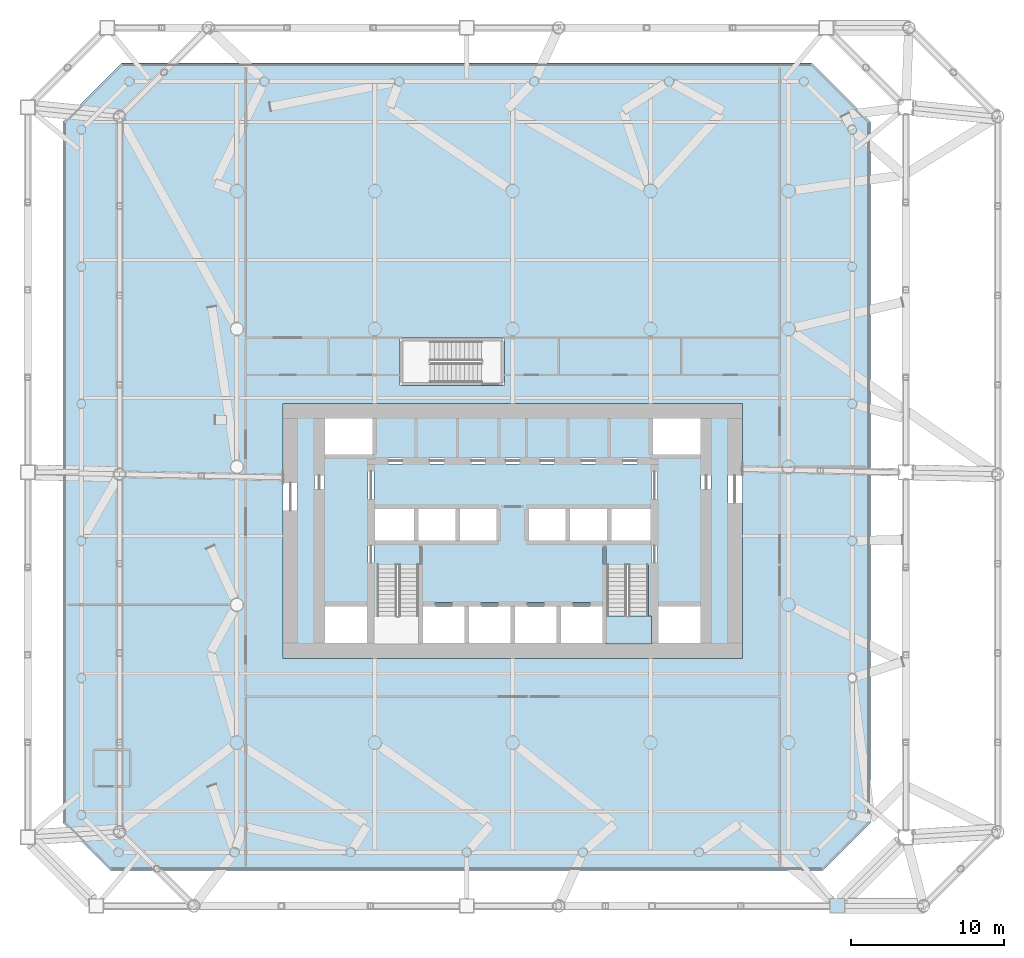
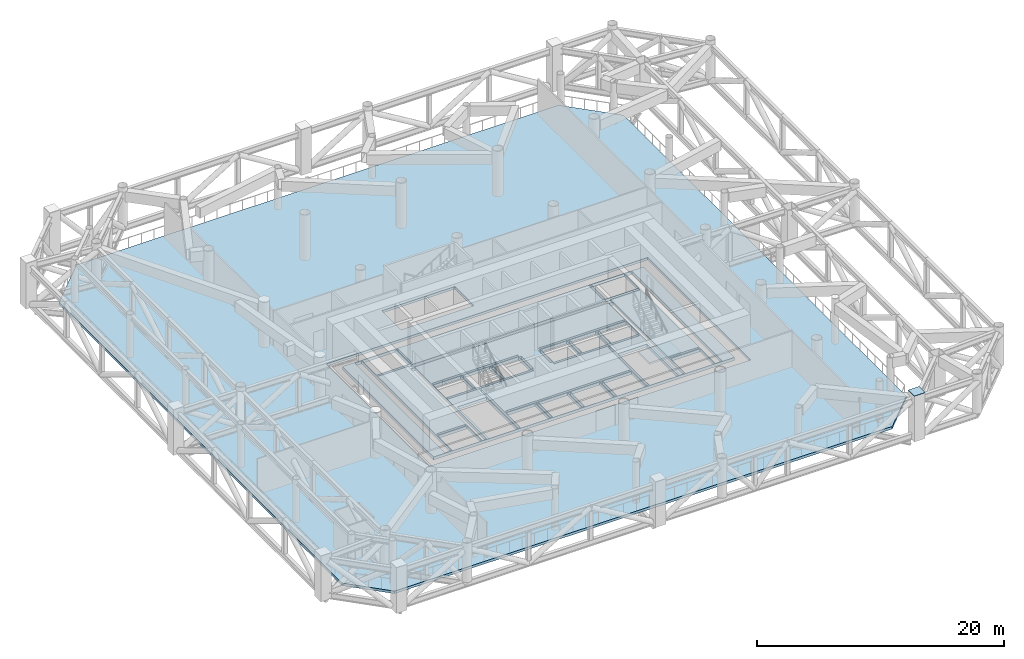
# One storey, part 10 of 22: 3 slabs, 1 plate, 1 element without a shape of its own.
"""IFC4 building model written with IfcOpenShell, lengths in metres."""

from ifc_helpers import new_model, si_unit, direction, frame, origin, origin_2d, place, context, subcontext, project, spatial, polyline, rectangle, outline, extrude, material, layer, layer_set, material_profile, profile_set, type_object, element, aggregate, save


model = new_model("IFC4")

# Units and contexts
model_context = context("Model", 3, precision=1e-05, world=origin(), true_north=direction((0.0, 1.0)))
body_context = subcontext(model_context, "Body", "Model", "MODEL_VIEW")
ifc_project = project(units=[si_unit("LENGTHUNIT", "METRE"), si_unit("AREAUNIT", "SQUARE_METRE"), si_unit("VOLUMEUNIT", "CUBIC_METRE"), si_unit("PLANEANGLEUNIT", "RADIAN"), si_unit("MASSUNIT", "GRAM", prefix="KILO")], contexts=[model_context])

# Site, building, storey
site_placement = place(None, origin())
site = spatial("IfcSite", under=ifc_project, at=site_placement, CompositionType="ELEMENT")
building_placement = place(site_placement, origin())
building = spatial("IfcBuilding", under=site, at=building_placement, Name="Tskaro Facet Tower", CompositionType="ELEMENT")
storey_placement = place(building_placement, frame((0.0, 0.0, 57.60009765625)))
storey = spatial("IfcBuildingStorey", under=building, at=storey_placement, Name="L13", CompositionType="ELEMENT", Elevation=57.60009765625)

# Plate
ifc_material_1 = material(Name="Steel S355J2", Category="steel")
ifc_material_profile = material_profile(ifc_material_1, rectangle(XDim=1.0, YDim=1.0, at=origin_2d()), Name="PL 1000x1000x30 end plate")
ifc_profile_set = profile_set([ifc_material_profile], Name="Steel S355J2")
plate_type = type_object("IfcPlateType", Name="PL 1000x1000x30 end plate", PredefinedType="SHEET", material=ifc_profile_set)
plate_placement = place(storey_placement, frame((21.179931640625, -28.658935546875, 4.5), z_axis=(0.0, 0.0, 1.0), x_axis=(1.0, 0.0, 0.0)))
element("IfcPlate", 1, at=plate_placement, inside=storey, type_object=plate_type, Name="End plate CP4-03", PredefinedType="SHEET", context=body_context, shape_type="SweptSolid", body=[
    extrude(rectangle(XDim=1.0, YDim=1.0, at=origin_2d()), origin(), (0.0, 0.0, 1.0), 0.02978515625),
])

# Stair, slab
ifc_material_2 = material(Name="Concrete C40/50", Category="concrete")
stair_type = type_object("IfcStairType", Name="ST-TWR", PredefinedType="HALF_TURN_STAIR", material=ifc_material_2)
stair_placement = place(storey_placement, origin())
stair = element("IfcStair", 2, at=stair_placement, inside=storey, type_object=stair_type, Name="L13 Exit stair 2", PredefinedType="HALF_TURN_STAIR")
ifc_layer_1 = layer(ifc_material_2, 0.199951171875, Name="Concrete C40/50")
ifc_layer_set_1 = layer_set([ifc_layer_1], Name="Concrete C40/50")
slab_type_1 = type_object("IfcSlabType", Name="SL-LANDING", PredefinedType="LANDING", material=ifc_layer_set_1)
slab_1_placement = place(storey_placement, frame((0.0, 0.0, 2.0498046875)))
slab_1 = element("IfcSlab", 3, at=slab_1_placement, type_object=slab_type_1, Name="ST-2 landing 1", PredefinedType="LANDING", context=body_context, shape_type="SweptSolid", body=[
    extrude(outline(polyline([(6.10009765625, -11.550048828125), (9.050048828125, -11.550048828125), (9.050048828125, -9.735107421875), (6.10009765625, -9.735107421875), (6.10009765625, -11.550048828125)])), origin(), (0.0, 0.0, 1.0), 0.2001953125),
])
aggregate(stair, [slab_1])

# Slabs
ifc_material_3 = material(Name="Concrete C60/75", Category="concrete")
ifc_layer_2 = layer(ifc_material_3, 0.300048828125, Name="Concrete C60/75")
ifc_layer_set_2 = layer_set([ifc_layer_2], Name="Concrete C60/75")
slab_type_2 = type_object("IfcSlabType", Name="SLAB-CORE", PredefinedType="FLOOR", material=ifc_layer_set_2)
slab_2_placement = place(storey_placement, frame((0.0, 0.0, -0.300048828125)))
element("IfcSlab", 4, at=slab_2_placement, inside=storey, type_object=slab_type_2, Name="Core floor slab 1", PredefinedType="FLOOR", context=body_context, shape_type="SweptSolid", body=[
    extrude(outline(polyline([(-14.050048828125, 3.199951171875), (14.050048828125, 3.199951171875), (14.050048828125, 3.10009765625), (14.050048828125, -11.449951171875), (14.050048828125, -11.550048828125), (-14.050048828125, -11.550048828125), (-14.050048828125, -11.449951171875), (-14.050048828125, 3.10009765625), (-14.050048828125, 3.199951171875)]), holes=[polyline([(-9.5, -9.10009765625), (-12.25, -9.10009765625), (-12.25, -11.5), (-9.5, -11.5), (-9.5, -9.10009765625)]), polyline([(-3.14990234375, -9.10009765625), (-5.85009765625, -9.10009765625), (-5.85009765625, -11.5), (-3.14990234375, -11.5), (-3.14990234375, -9.10009765625)]), polyline([(-12.199951171875, -8.85009765625), (-12.199951171875, -9.050048828125), (-9.550048828125, -9.050048828125), (-9.550048828125, -8.85009765625), (-12.199951171875, -8.85009765625)]), polyline([(-6.10009765625, -11.449951171875), (-5.89990234375, -11.449951171875), (-5.89990234375, -5.14990234375), (-6.10009765625, -5.14990234375), (-6.10009765625, -11.449951171875)]), polyline([(-9.449951171875, 0.10009765625), (-9.449951171875, -11.449951171875), (-9.050048828125, -11.449951171875), (-9.050048828125, 0.10009765625), (-9.449951171875, 0.10009765625)]), polyline([(-8.949951171875, -4.85009765625), (-8.949951171875, -5.050048828125), (-0.949951171875, -5.050048828125), (-0.949951171875, -4.85009765625), (-8.949951171875, -4.85009765625)]), polyline([(-12.949951171875, -11.449951171875), (-12.300048828125, -11.449951171875), (-12.300048828125, 3.10009765625), (-12.949951171875, 3.10009765625), (-12.949951171875, -11.449951171875)]), polyline([(-6.449951171875, -4.800048828125), (-6.449951171875, -2.75), (-9.0, -2.75), (-9.0, -4.800048828125), (-6.449951171875, -4.800048828125)]), polyline([(-3.75, -2.75), (-6.14990234375, -2.75), (-6.14990234375, -4.800048828125), (-3.75, -4.800048828125), (-3.75, -2.75)]), polyline([(-6.39990234375, -2.800048828125), (-6.39990234375, -4.75), (-6.199951171875, -4.75), (-6.199951171875, -2.800048828125), (-6.39990234375, -2.800048828125)]), polyline([(-8.949951171875, -2.5), (-8.949951171875, -2.699951171875), (-0.949951171875, -2.699951171875), (-0.949951171875, -2.5), (-8.949951171875, -2.5)]), polyline([(9.449951171875, 0.550048828125), (12.199951171875, 0.550048828125), (12.199951171875, 0.75), (9.050048828125, 0.75), (9.050048828125, 0.60009765625), (-9.050048828125, 0.60009765625), (-9.050048828125, 0.75), (-12.199951171875, 0.75), (-12.199951171875, 0.550048828125), (-9.449951171875, 0.550048828125), (-9.449951171875, 0.199951171875), (9.449951171875, 0.199951171875), (9.449951171875, 0.550048828125)]), polyline([(-9.10009765625, 3.10009765625), (-9.10009765625, 0.85009765625), (-8.89990234375, 0.85009765625), (-8.89990234375, 3.10009765625), (-9.10009765625, 3.10009765625)]), polyline([(-9.14990234375, 0.800048828125), (-9.14990234375, 3.14990234375), (-12.25, 3.14990234375), (-12.25, 0.800048828125), (-9.14990234375, 0.800048828125)]), polyline([(2.89990234375, -11.449951171875), (3.10009765625, -11.449951171875), (3.10009765625, -9.14990234375), (2.89990234375, -9.14990234375), (2.89990234375, -11.449951171875)]), polyline([(-3.10009765625, -9.14990234375), (-3.10009765625, -11.449951171875), (-2.89990234375, -11.449951171875), (-2.89990234375, -9.14990234375), (-3.10009765625, -9.14990234375)]), polyline([(2.85009765625, -9.10009765625), (0.14990234375, -9.10009765625), (0.14990234375, -11.5), (2.85009765625, -11.5), (2.85009765625, -9.10009765625)]), polyline([(-0.14990234375, -9.10009765625), (-2.85009765625, -9.10009765625), (-2.85009765625, -11.5), (-0.14990234375, -11.5), (-0.14990234375, -9.10009765625)]), polyline([(-0.10009765625, -9.14990234375), (-0.10009765625, -11.449951171875), (0.10009765625, -11.449951171875), (0.10009765625, -9.14990234375), (-0.10009765625, -9.14990234375)]), polyline([(-5.800048828125, -8.85009765625), (-5.800048828125, -9.050048828125), (5.800048828125, -9.050048828125), (5.800048828125, -8.85009765625), (-5.800048828125, -8.85009765625)]), polyline([(-1.0, -2.800048828125), (-1.0, -4.75), (-0.800048828125, -4.75), (-0.800048828125, -2.800048828125), (-1.0, -2.800048828125)]), polyline([(0.800048828125, -4.75), (1.0, -4.75), (1.0, -2.800048828125), (0.800048828125, -2.800048828125), (0.800048828125, -4.75)]), polyline([(-1.050048828125, -4.800048828125), (-1.050048828125, -2.75), (-3.449951171875, -2.75), (-3.449951171875, -4.800048828125), (-1.050048828125, -4.800048828125)]), polyline([(3.449951171875, -4.800048828125), (3.449951171875, -2.75), (1.050048828125, -2.75), (1.050048828125, -4.800048828125), (3.449951171875, -4.800048828125)]), polyline([(-3.699951171875, -4.75), (-3.5, -4.75), (-3.5, -2.800048828125), (-3.699951171875, -2.800048828125), (-3.699951171875, -4.75)]), polyline([(3.14990234375, -9.10009765625), (3.14990234375, -11.5), (5.85009765625, -11.5), (5.85009765625, -9.10009765625), (3.14990234375, -9.10009765625)]), polyline([(12.25, -11.5), (12.25, -9.10009765625), (9.5, -9.10009765625), (9.5, -11.5), (12.25, -11.5)]), polyline([(9.550048828125, -8.85009765625), (9.550048828125, -9.050048828125), (12.199951171875, -9.050048828125), (12.199951171875, -8.85009765625), (9.550048828125, -8.85009765625)]), polyline([(5.89990234375, -11.449951171875), (6.10009765625, -11.449951171875), (6.10009765625, -5.14990234375), (5.89990234375, -5.14990234375), (5.89990234375, -11.449951171875)]), polyline([(9.050048828125, 0.10009765625), (9.050048828125, -11.449951171875), (9.449951171875, -11.449951171875), (9.449951171875, 0.10009765625), (9.050048828125, 0.10009765625)]), polyline([(0.949951171875, -4.85009765625), (0.949951171875, -5.050048828125), (8.949951171875, -5.050048828125), (8.949951171875, -4.85009765625), (0.949951171875, -4.85009765625)]), polyline([(12.300048828125, -11.449951171875), (12.949951171875, -11.449951171875), (12.949951171875, 3.10009765625), (12.300048828125, 3.10009765625), (12.300048828125, -11.449951171875)]), polyline([(3.5, -2.800048828125), (3.5, -4.75), (3.699951171875, -4.75), (3.699951171875, -2.800048828125), (3.5, -2.800048828125)]), polyline([(6.14990234375, -2.75), (3.75, -2.75), (3.75, -4.800048828125), (6.14990234375, -4.800048828125), (6.14990234375, -2.75)]), polyline([(6.199951171875, -2.800048828125), (6.199951171875, -4.75), (6.39990234375, -4.75), (6.39990234375, -2.800048828125), (6.199951171875, -2.800048828125)]), polyline([(6.449951171875, -2.75), (6.449951171875, -4.800048828125), (9.0, -4.800048828125), (9.0, -2.75), (6.449951171875, -2.75)]), polyline([(0.949951171875, -2.5), (0.949951171875, -2.699951171875), (8.949951171875, -2.699951171875), (8.949951171875, -2.5), (0.949951171875, -2.5)]), polyline([(8.89990234375, 3.10009765625), (8.89990234375, 0.85009765625), (9.10009765625, 0.85009765625), (9.10009765625, 3.10009765625), (8.89990234375, 3.10009765625)]), polyline([(9.14990234375, 0.800048828125), (12.25, 0.800048828125), (12.25, 3.14990234375), (9.14990234375, 3.14990234375), (9.14990234375, 0.800048828125)]), polyline([(-8.85009765625, -11.5), (-6.14990234375, -11.5), (-6.14990234375, -6.39501953125), (-8.85009765625, -6.39501953125), (-8.85009765625, -11.5)]), polyline([(6.14990234375, -6.39501953125), (6.14990234375, -11.5), (8.85009765625, -11.5), (8.85009765625, -6.39501953125), (6.14990234375, -6.39501953125)])]), origin(), (0.0, 0.0, 1.0), 0.300048828125),
])
ifc_material_4 = material(Name="Concrete C35/45", Category="concrete")
ifc_layer_3 = layer(ifc_material_4, 0.25, Name="Concrete C35/45")
ifc_layer_set_3 = layer_set([ifc_layer_3], Name="Concrete C35/45")
slab_type_3 = type_object("IfcSlabType", Name="Transition floor slab", PredefinedType="FLOOR", material=ifc_layer_set_3)
slab_3_placement = place(storey_placement, frame((0.0, 0.0, -0.25)))
element("IfcSlab", 5, at=slab_3_placement, inside=storey, type_object=slab_type_3, Name="Floor slab FS4 L13", PredefinedType="FLOOR", context=body_context, shape_type="SweptSolid", body=[
    extrude(outline(polyline([(-26.22607421875, -26.35693359375), (20.22607421875, -26.35693359375), (23.35693359375, -23.22607421875), (23.35693359375, 22.509033203125), (19.509033203125, 26.35693359375), (-25.509033203125, 26.35693359375), (-29.35693359375, 22.509033203125), (-29.35693359375, -23.22607421875), (-26.22607421875, -26.35693359375)]), holes=[polyline([(-15.0, -12.5), (15.0, -12.5), (15.0, 4.14990234375), (-15.0, 4.14990234375), (-15.0, -12.5)]), polyline([(-7.35009765625, 5.300048828125), (-0.550048828125, 5.300048828125), (-0.550048828125, 8.39990234375), (-7.35009765625, 8.39990234375), (-7.35009765625, 5.300048828125)])]), origin(), (0.0, 0.0, 1.0), 0.25),
])

save(model, "model.ifc")
